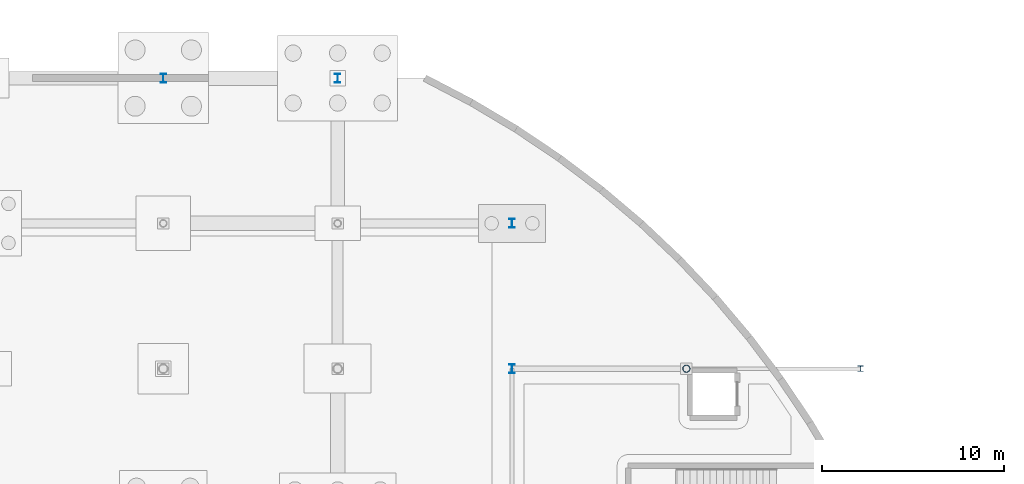
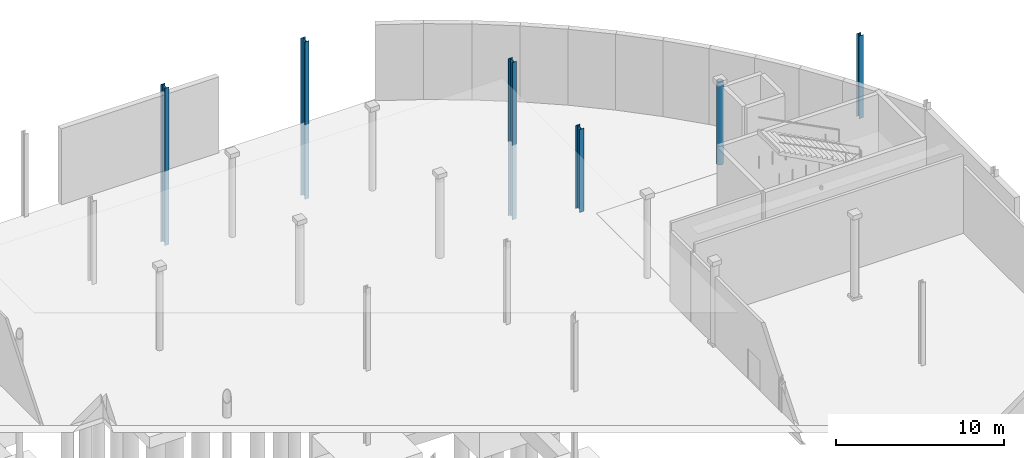
# One storey, part 32 of 124: 6 columns.
"""IFC4 building model written with IfcOpenShell, lengths in metres."""

from ifc_helpers import new_model, si_unit, direction, frame, origin, origin_2d, place, context, subcontext, project, spatial, hollow_circle, i_section, extrude, material, material_profile, profile_set, type_object, element, save


model = new_model("IFC4")

# Units and contexts
model_context = context("Model", 3, precision=1e-05, world=origin(), true_north=direction((0.0, 1.0)))
body_context = subcontext(model_context, "Body", "Model", "MODEL_VIEW")
ifc_project = project(units=[si_unit("LENGTHUNIT", "METRE"), si_unit("AREAUNIT", "SQUARE_METRE"), si_unit("VOLUMEUNIT", "CUBIC_METRE"), si_unit("PLANEANGLEUNIT", "RADIAN"), si_unit("MASSUNIT", "GRAM", prefix="KILO")], contexts=[model_context])

# Site, building, storey
site_placement = place(None, origin())
site = spatial("IfcSite", under=ifc_project, at=site_placement, CompositionType="ELEMENT")
building_placement = place(site_placement, origin())
building = spatial("IfcBuilding", under=site, at=building_placement, Name="Danafjord Basin Convention Centre", CompositionType="ELEMENT")
storey_placement = place(building_placement, origin())
storey = spatial("IfcBuildingStorey", under=building, at=storey_placement, Name="L00", CompositionType="ELEMENT", Elevation=0.0)

# Columns
ifc_material = material(Name="Steel S355", Category="steel")
ifc_material_profile_1 = material_profile(ifc_material, hollow_circle(Radius=0.203125, WallThickness=0.02001953125, at=origin_2d()), Name="CHS 406.4x20.0")
ifc_profile_set_1 = profile_set([ifc_material_profile_1], Name="Steel S355")
column_type_1 = type_object("IfcColumnType", Name="COL-C-CHS406", PredefinedType="COLUMN", material=ifc_profile_set_1)
column_1_placement = place(storey_placement, frame((192.0, 128.0, 0.0), z_axis=(0.0, 0.0, 1.0), x_axis=(1.0, 0.0, 0.0)))
element("IfcColumn", 1, at=column_1_placement, inside=storey, type_object=column_type_1, Name="L00 column C-CHS406 at (192.0, 128.0)", PredefinedType="COLUMN", context=body_context, shape_type="SweptSolid", body=[
    extrude(hollow_circle(Radius=0.203125, WallThickness=0.02001953125, at=origin_2d()), origin(), (0.0, 0.0, 1.0), 6.0),
])
ifc_material_profile_2 = material_profile(ifc_material, i_section(OverallWidth=0.300048828125, OverallDepth=0.300048828125, WebThickness=0.010986328125, FlangeThickness=0.01904296875, FilletRadius=0.027099609375, at=origin_2d()), Name="HEB 300")
ifc_profile_set_2 = profile_set([ifc_material_profile_2], Name="Steel S355")
column_type_2 = type_object("IfcColumnType", Name="COL-C-HEB300", PredefinedType="COLUMN", material=ifc_profile_set_2)
column_2_placement = place(storey_placement, frame((201.60009765625, 128.0, 0.0), z_axis=(0.0, 0.0, 1.0), x_axis=(1.0, 0.0, 0.0)))
element("IfcColumn", 2, at=column_2_placement, inside=storey, type_object=column_type_2, Name="L00 column C-HEB300 at (201.6, 128.0)", PredefinedType="COLUMN", context=body_context, shape_type="SweptSolid", body=[
    extrude(i_section(OverallWidth=0.300048828125, OverallDepth=0.300048828125, WebThickness=0.010986328125, FlangeThickness=0.01904296875, FilletRadius=0.027099609375, at=origin_2d()), origin(), (0.0, 0.0, 1.0), 6.0),
])
ifc_material_profile_3 = material_profile(ifc_material, i_section(OverallWidth=0.300048828125, OverallDepth=0.5, WebThickness=0.014404296875, FlangeThickness=0.028076171875, FilletRadius=0.027099609375, at=origin_2d()), Name="HEB 500")
ifc_profile_set_3 = profile_set([ifc_material_profile_3], Name="Steel S355")
column_type_3 = type_object("IfcColumnType", Name="COL-C-HEB500", PredefinedType="COLUMN", material=ifc_profile_set_3)
for number, where, z_axis, x_axis, name in (
    (3, (163.199951171875, 144.0, -5.39990234375), (0.0, 0.0, 1.0), (1.0, 0.0, 0.0), "L00 column C-HEB500 at (163.2, 144.0)"),
    (4, (172.800048828125, 144.0, -5.39990234375), (0.0, 0.0, 1.0), (1.0, 0.0, 0.0), "L00 column C-HEB500 at (172.8, 144.0)"),
):
    element("IfcColumn", number, at=place(storey_placement, frame(where, z_axis=z_axis, x_axis=x_axis)), inside=storey, type_object=column_type_3, Name=name, PredefinedType="COLUMN", context=body_context, shape_type="SweptSolid", body=[
        extrude(i_section(OverallWidth=0.300048828125, OverallDepth=0.5, WebThickness=0.014404296875, FlangeThickness=0.028076171875, FilletRadius=0.027099609375, at=origin_2d()), origin(), (0.0, 0.0, 1.0), 11.39990234375),
    ])
column_3_placement = place(storey_placement, frame((182.39990234375, 128.0, 0.0), z_axis=(0.0, 0.0, 1.0), x_axis=(1.0, 0.0, 0.0)))
element("IfcColumn", 5, at=column_3_placement, inside=storey, type_object=column_type_3, Name="L00 column C-HEB500 at (182.4, 128.0)", PredefinedType="COLUMN", context=body_context, shape_type="SweptSolid", body=[
    extrude(i_section(OverallWidth=0.300048828125, OverallDepth=0.5, WebThickness=0.014404296875, FlangeThickness=0.028076171875, FilletRadius=0.027099609375, at=origin_2d()), origin(), (0.0, 0.0, 1.0), 6.0),
])
column_4_placement = place(storey_placement, frame((182.39990234375, 136.0, -5.39990234375), z_axis=(0.0, 0.0, 1.0), x_axis=(1.0, 0.0, 0.0)))
element("IfcColumn", 6, at=column_4_placement, inside=storey, type_object=column_type_3, Name="L00 column C-HEB500 at (182.4, 136.0)", PredefinedType="COLUMN", context=body_context, shape_type="SweptSolid", body=[
    extrude(i_section(OverallWidth=0.300048828125, OverallDepth=0.5, WebThickness=0.014404296875, FlangeThickness=0.028076171875, FilletRadius=0.027099609375, at=origin_2d()), origin(), (0.0, 0.0, 1.0), 11.39990234375),
])

save(model, "model.ifc")
